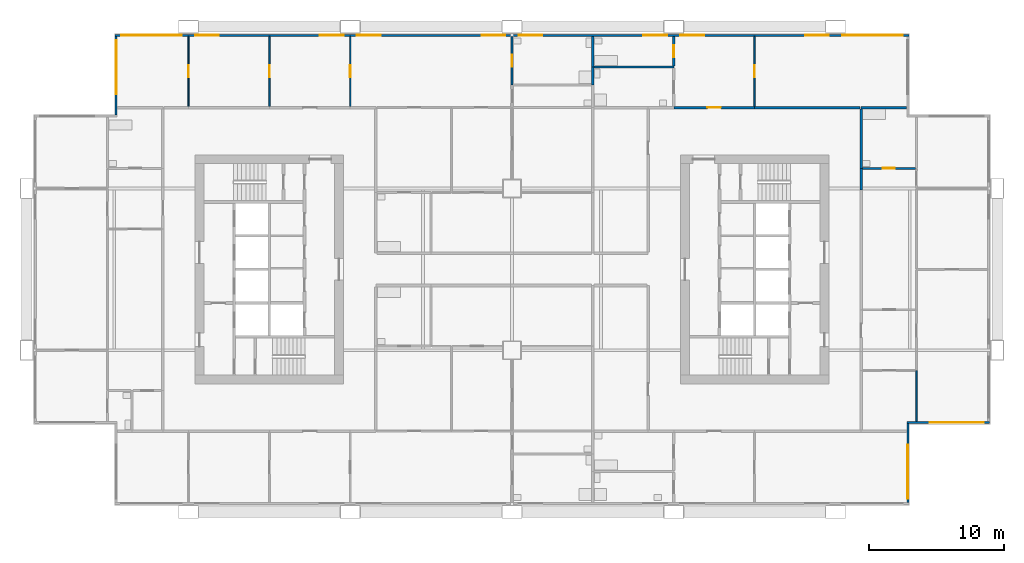
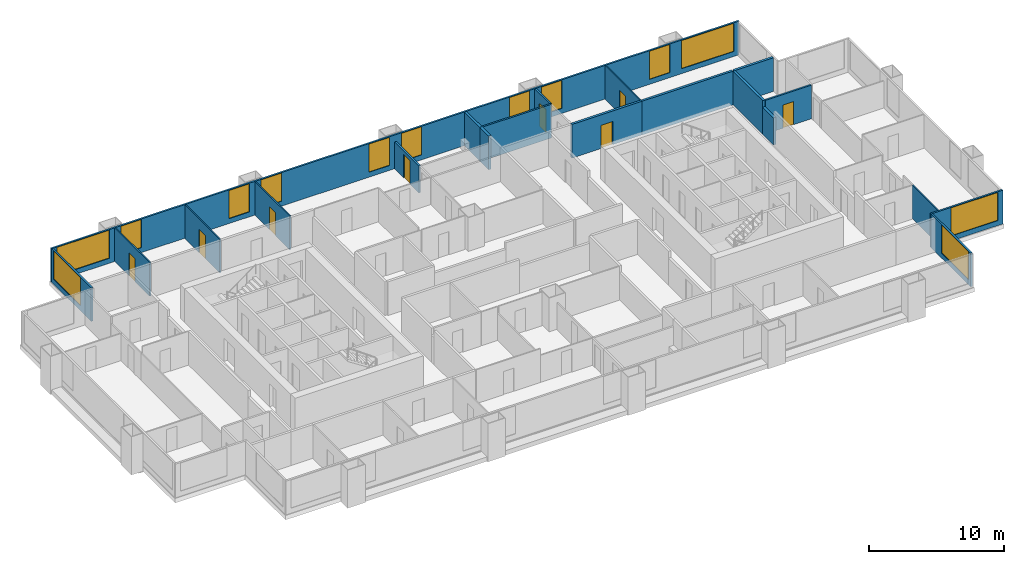
# One storey, part 7 of 10: 20 walls, 13 windows, 8 doors, 21 openings.
"""IFC4 building model written with IfcOpenShell, lengths in metres."""

from ifc_helpers import new_model, si_unit, direction, frame, frame_2d, origin, place, context, subcontext, project, spatial, rectangle, extrude, material, layer, layer_set, type_object, element, fill, save


model = new_model("IFC4")

# Units and contexts
model_context = context("Model", 3, precision=1e-05, world=origin(), true_north=direction((0.0, 1.0)))
body_context = subcontext(model_context, "Body", "Model", "MODEL_VIEW")
ifc_project = project(units=[si_unit("LENGTHUNIT", "METRE"), si_unit("AREAUNIT", "SQUARE_METRE"), si_unit("VOLUMEUNIT", "CUBIC_METRE"), si_unit("PLANEANGLEUNIT", "RADIAN"), si_unit("MASSUNIT", "GRAM", prefix="KILO")], contexts=[model_context])

# Site, building, storey
site_placement = place(None, origin())
site = spatial("IfcSite", under=ifc_project, at=site_placement, CompositionType="ELEMENT")
building_placement = place(site_placement, origin())
building = spatial("IfcBuilding", under=site, at=building_placement, Name="Kitamizu Gate Tower and Museum", CompositionType="ELEMENT")
storey_placement = place(building_placement, frame((0.0, 0.0, 117.300048828125)))
storey = spatial("IfcBuildingStorey", under=building, at=storey_placement, Name="L30", CompositionType="ELEMENT", Elevation=117.300048828125)

# Wall, opening, door
ifc_material_1 = material(Name="Gypsum board on galvanised stud")
ifc_layer_1 = layer(ifc_material_1, 0.10009765625)
ifc_layer_set_1 = layer_set([ifc_layer_1], Name="Gypsum board on galvanised stud")
wall_type_1 = type_object("IfcWallType", Name="Partition 100 NOT RATED", PredefinedType="PARTITIONING", material=ifc_layer_set_1)
wall_1_placement = place(storey_placement, frame((12.0, 42.10009765625, 0.0), z_axis=(0.0, 0.0, 1.0), x_axis=(0.0, 1.0, 0.0)))
wall_1 = element("IfcWall", 1, at=wall_1_placement, inside=storey, type_object=wall_type_1, Name="Partition L30-054", PredefinedType="PARTITIONING", context=body_context, shape_type="SweptSolid", body=[
    extrude(rectangle(XDim=5.179931640625, YDim=0.10009765625, at=frame_2d((2.58984375, 0.0))), origin(), (0.0, 0.0, 1.0), 3.050048828125),
])
opening_1_placement = place(wall_1_placement, frame((2.139892578125, 0.0, 0.0)))
opening_1 = element("IfcOpeningElement", 2, at=opening_1_placement, cuts=wall_1, Name="Opening L30-030", PredefinedType="OPENING", context=body_context, shape_type="SweptSolid", body=[
    extrude(rectangle(XDim=0.89990234375, YDim=2.10009765625, at=frame_2d((0.449951171875, 1.050048828125))), frame((0.0, 0.06005859375, 0.0), z_axis=(0.0, -1.0, 0.0), x_axis=(1.0, 0.0, 0.0)), (0.0, 0.0, 1.0), 0.1201171875),
])
ifc_material_2 = material(Name="Timber door set", Category="wood")
door_type_1 = type_object("IfcDoorType", Name="Room door 900", OperationType="NOTDEFINED", PredefinedType="DOOR", material=ifc_material_2)
door_1_placement = place(opening_1_placement, origin())
door_1 = element("IfcDoor", 3, at=door_1_placement, inside=storey, type_object=door_type_1, Name="Door L30-030", OperationType="SINGLE_SWING_LEFT", OverallHeight=2.10009765625, OverallWidth=0.89990234375, PredefinedType="DOOR", context=body_context, shape_type="SweptSolid", body=[
    extrude(rectangle(XDim=0.89990234375, YDim=2.10009765625, at=frame_2d((0.449951171875, 1.050048828125))), frame((0.0, 0.02490234375, 0.0), z_axis=(0.0, -1.0, 0.0), x_axis=(1.0, 0.0, 0.0)), (0.0, 0.0, 1.0), 0.050048828125),
])
fill(opening_1, door_1)

wall_2_placement = place(storey_placement, frame((18.0, 42.10009765625, 0.0), z_axis=(0.0, 0.0, 1.0), x_axis=(0.0, 1.0, 0.0)))
wall_2 = element("IfcWall", 4, at=wall_2_placement, inside=storey, type_object=wall_type_1, Name="Partition L30-056", PredefinedType="PARTITIONING", context=body_context, shape_type="SweptSolid", body=[
    extrude(rectangle(XDim=5.179931640625, YDim=0.10009765625, at=frame_2d((2.58984375, 0.0))), origin(), (0.0, 0.0, 1.0), 3.050048828125),
])
opening_2_placement = place(wall_2_placement, frame((2.139892578125, 0.0, 0.0)))
opening_2 = element("IfcOpeningElement", 5, at=opening_2_placement, cuts=wall_2, Name="Opening L30-025", PredefinedType="OPENING", context=body_context, shape_type="SweptSolid", body=[
    extrude(rectangle(XDim=0.89990234375, YDim=2.10009765625, at=frame_2d((0.449951171875, 1.050048828125))), frame((0.0, 0.06005859375, 0.0), z_axis=(0.0, -1.0, 0.0), x_axis=(1.0, 0.0, 0.0)), (0.0, 0.0, 1.0), 0.1201171875),
])
door_2_placement = place(opening_2_placement, origin())
door_2 = element("IfcDoor", 6, at=door_2_placement, inside=storey, type_object=door_type_1, Name="Door L30-025", OperationType="SINGLE_SWING_RIGHT", OverallHeight=2.10009765625, OverallWidth=0.89990234375, PredefinedType="DOOR", context=body_context, shape_type="SweptSolid", body=[
    extrude(rectangle(XDim=0.89990234375, YDim=2.10009765625, at=frame_2d((0.449951171875, 1.050048828125))), frame((0.0, 0.02490234375, 0.0), z_axis=(0.0, -1.0, 0.0), x_axis=(1.0, 0.0, 0.0)), (0.0, 0.0, 1.0), 0.050048828125),
])
fill(opening_2, door_2)

wall_3_placement = place(storey_placement, frame((24.0, 42.10009765625, 0.0), z_axis=(0.0, 0.0, 1.0), x_axis=(0.0, 1.0, 0.0)))
wall_3 = element("IfcWall", 7, at=wall_3_placement, inside=storey, type_object=wall_type_1, Name="Partition L30-058", PredefinedType="PARTITIONING", context=body_context, shape_type="SweptSolid", body=[
    extrude(rectangle(XDim=5.179931640625, YDim=0.10009765625, at=frame_2d((2.58984375, 0.0))), origin(), (0.0, 0.0, 1.0), 3.050048828125),
])
opening_3_placement = place(wall_3_placement, frame((2.139892578125, 0.0, 0.0)))
opening_3 = element("IfcOpeningElement", 8, at=opening_3_placement, cuts=wall_3, Name="Opening L30-021", PredefinedType="OPENING", context=body_context, shape_type="SweptSolid", body=[
    extrude(rectangle(XDim=0.89990234375, YDim=2.10009765625, at=frame_2d((0.449951171875, 1.050048828125))), frame((0.0, 0.06005859375, 0.0), z_axis=(0.0, -1.0, 0.0), x_axis=(1.0, 0.0, 0.0)), (0.0, 0.0, 1.0), 0.1201171875),
])
door_3_placement = place(opening_3_placement, frame((0.89990234375, 0.0, 0.0), x_axis=(-1.0, 0.0, 0.0)))
door_3 = element("IfcDoor", 9, at=door_3_placement, inside=storey, type_object=door_type_1, Name="Door L30-021", OperationType="SINGLE_SWING_LEFT", OverallHeight=2.10009765625, OverallWidth=0.89990234375, PredefinedType="DOOR", context=body_context, shape_type="SweptSolid", body=[
    extrude(rectangle(XDim=0.89990234375, YDim=2.10009765625, at=frame_2d((0.449951171875, 1.050048828125))), frame((0.0, 0.02490234375, 0.0), z_axis=(0.0, -1.0, 0.0), x_axis=(1.0, 0.0, 0.0)), (0.0, 0.0, 1.0), 0.050048828125),
])
fill(opening_3, door_3)

# Wall
wall_4_placement = place(storey_placement, frame((66.0, 22.5, 0.0), z_axis=(0.0, 0.0, 1.0), x_axis=(0.0, -1.0, 0.0)))
element("IfcWall", 10, at=wall_4_placement, inside=storey, type_object=wall_type_1, Name="Partition L30-099", PredefinedType="PARTITIONING", context=body_context, shape_type="SweptSolid", body=[
    extrude(rectangle(XDim=3.780029296875, YDim=0.10009765625, at=frame_2d((1.89013671875, 0.0))), origin(), (0.0, 0.0, 1.0), 3.050048828125),
])

# Wall, opening, door
wall_5_placement = place(storey_placement, frame((54.0, 42.10009765625, 0.0), z_axis=(0.0, 0.0, 1.0), x_axis=(0.0, 1.0, 0.0)))
wall_5 = element("IfcWall", 11, at=wall_5_placement, inside=storey, type_object=wall_type_1, Name="Partition L30-122", PredefinedType="PARTITIONING", context=body_context, shape_type="SweptSolid", body=[
    extrude(rectangle(XDim=5.179931640625, YDim=0.10009765625, at=frame_2d((2.58984375, 0.0))), origin(), (0.0, 0.0, 1.0), 3.050048828125),
])
opening_4_placement = place(wall_5_placement, frame((2.139892578125, 0.0, 0.0)))
opening_4 = element("IfcOpeningElement", 12, at=opening_4_placement, cuts=wall_5, Name="Opening L30-043", PredefinedType="OPENING", context=body_context, shape_type="SweptSolid", body=[
    extrude(rectangle(XDim=0.89990234375, YDim=2.10009765625, at=frame_2d((0.449951171875, 1.050048828125))), frame((0.0, 0.06005859375, 0.0), z_axis=(0.0, -1.0, 0.0), x_axis=(1.0, 0.0, 0.0)), (0.0, 0.0, 1.0), 0.1201171875),
])
door_4_placement = place(opening_4_placement, frame((0.89990234375, 0.0, 0.0), x_axis=(-1.0, 0.0, 0.0)))
door_4 = element("IfcDoor", 13, at=door_4_placement, inside=storey, type_object=door_type_1, Name="Door L30-043", OperationType="SINGLE_SWING_LEFT", OverallHeight=2.10009765625, OverallWidth=0.89990234375, PredefinedType="DOOR", context=body_context, shape_type="SweptSolid", body=[
    extrude(rectangle(XDim=0.89990234375, YDim=2.10009765625, at=frame_2d((0.449951171875, 1.050048828125))), frame((0.0, 0.02490234375, 0.0), z_axis=(0.0, -1.0, 0.0), x_axis=(1.0, 0.0, 0.0)), (0.0, 0.0, 1.0), 0.050048828125),
])
fill(opening_4, door_4)

ifc_material_3 = material(Name="Gypsum board on galvanised stud")
ifc_layer_2 = layer(ifc_material_3, 0.14990234375)
ifc_layer_set_2 = layer_set([ifc_layer_2], Name="Gypsum board on galvanised stud")
wall_type_2 = type_object("IfcWallType", Name="Partition 150", PredefinedType="PARTITIONING", material=ifc_layer_set_2)
wall_6_placement = place(storey_placement, frame((36.0, 43.679931640625, 0.0), z_axis=(0.0, 0.0, 1.0), x_axis=(0.0, 1.0, 0.0)))
wall_6 = element("IfcWall", 14, at=wall_6_placement, inside=storey, type_object=wall_type_2, Name="Partition L30-060", PredefinedType="PARTITIONING", context=body_context, shape_type="SweptSolid", body=[
    extrude(rectangle(XDim=3.60009765625, YDim=0.14990234375, at=frame_2d((1.800048828125, 0.0))), origin(), (0.0, 0.0, 1.0), 2.449951171875),
])
opening_5_placement = place(wall_6_placement, frame((1.35009765625, 0.0, 0.0)))
opening_5 = element("IfcOpeningElement", 15, at=opening_5_placement, cuts=wall_6, Name="Opening L30-024", PredefinedType="OPENING", context=body_context, shape_type="SweptSolid", body=[
    extrude(rectangle(XDim=0.89990234375, YDim=2.10009765625, at=frame_2d((0.449951171875, 1.050048828125))), frame((0.0, 0.0849609375, 0.0), z_axis=(0.0, -1.0, 0.0), x_axis=(1.0, 0.0, 0.0)), (0.0, 0.0, 1.0), 0.169921875),
])
ifc_material_4 = material(Name="Timber door set", Category="wood")
door_type_2 = type_object("IfcDoorType", Name="Bathroom door 900", OperationType="NOTDEFINED", PredefinedType="DOOR", material=ifc_material_4)
door_5_placement = place(opening_5_placement, frame((0.89990234375, 0.0, 0.0), x_axis=(-1.0, 0.0, 0.0)))
door_5 = element("IfcDoor", 16, at=door_5_placement, inside=storey, type_object=door_type_2, Name="Bathroom door L30-024", OperationType="SINGLE_SWING_RIGHT", OverallHeight=2.10009765625, OverallWidth=0.89990234375, PredefinedType="DOOR", context=body_context, shape_type="SweptSolid", body=[
    extrude(rectangle(XDim=0.89990234375, YDim=2.10009765625, at=frame_2d((0.449951171875, 1.050048828125))), frame((0.0, 0.02490234375, 0.0), z_axis=(0.0, -1.0, 0.0), x_axis=(1.0, 0.0, 0.0)), (0.0, 0.0, 1.0), 0.050048828125),
])
fill(opening_5, door_5)

wall_7_placement = place(storey_placement, frame((65.925048828125, 37.5, 0.0), z_axis=(0.0, 0.0, 1.0), x_axis=(-1.0, 0.0, 0.0)))
wall_7 = element("IfcWall", 17, at=wall_7_placement, inside=storey, type_object=wall_type_2, Name="Partition L30-112", PredefinedType="PARTITIONING", context=body_context, shape_type="SweptSolid", body=[
    extrude(rectangle(XDim=3.925048828125, YDim=0.14990234375, at=frame_2d((1.96240234375, 0.0))), origin(), (0.0, 0.0, 1.0), 3.050048828125),
])
opening_6_placement = place(wall_7_placement, frame((1.512451171875, 0.0, 0.0)))
opening_6 = element("IfcOpeningElement", 18, at=opening_6_placement, cuts=wall_7, Name="Opening L30-041", PredefinedType="OPENING", context=body_context, shape_type="SweptSolid", body=[
    extrude(rectangle(XDim=0.89990234375, YDim=2.10009765625, at=frame_2d((0.449951171875, 1.050048828125))), frame((0.0, 0.0849609375, 0.0), z_axis=(0.0, -1.0, 0.0), x_axis=(1.0, 0.0, 0.0)), (0.0, 0.0, 1.0), 0.169921875),
])
door_6_placement = place(opening_6_placement, frame((0.89990234375, 0.0, 0.0), x_axis=(-1.0, 0.0, 0.0)))
door_6 = element("IfcDoor", 19, at=door_6_placement, inside=storey, type_object=door_type_2, Name="Bathroom door L30-041", OperationType="SINGLE_SWING_LEFT", OverallHeight=2.10009765625, OverallWidth=0.89990234375, PredefinedType="DOOR", context=body_context, shape_type="SweptSolid", body=[
    extrude(rectangle(XDim=0.89990234375, YDim=2.10009765625, at=frame_2d((0.449951171875, 1.050048828125))), frame((0.0, 0.02490234375, 0.0), z_axis=(0.0, -1.0, 0.0), x_axis=(1.0, 0.0, 0.0)), (0.0, 0.0, 1.0), 0.050048828125),
])
fill(opening_6, door_6)

# Wall
wall_8_placement = place(storey_placement, frame((48.0, 45.0, 0.0), z_axis=(0.0, 0.0, 1.0), x_axis=(-1.0, 0.0, 0.0)))
element("IfcWall", 20, at=wall_8_placement, inside=storey, type_object=wall_type_2, Name="Partition L30-117", PredefinedType="PARTITIONING", context=body_context, shape_type="SweptSolid", body=[
    extrude(rectangle(XDim=5.89990234375, YDim=0.14990234375, at=frame_2d((2.949951171875, 0.0))), origin(), (0.0, 0.0, 1.0), 3.050048828125),
])

# Wall, opening, door
wall_9_placement = place(storey_placement, frame((48.0, 45.074951171875, 0.0), z_axis=(0.0, 0.0, 1.0), x_axis=(0.0, 1.0, 0.0)))
wall_9 = element("IfcWall", 21, at=wall_9_placement, inside=storey, type_object=wall_type_2, Name="Partition L30-121", PredefinedType="PARTITIONING", context=body_context, shape_type="SweptSolid", body=[
    extrude(rectangle(XDim=2.205078125, YDim=0.14990234375, at=frame_2d((1.1025390625, 0.0))), origin(), (0.0, 0.0, 1.0), 3.050048828125),
])
opening_7_placement = place(wall_9_placement, frame((0.652587890625, 0.0, 0.0)))
opening_7 = element("IfcOpeningElement", 22, at=opening_7_placement, cuts=wall_9, Name="Opening L30-045", PredefinedType="OPENING", context=body_context, shape_type="SweptSolid", body=[
    extrude(rectangle(XDim=0.89990234375, YDim=2.10009765625, at=frame_2d((0.449951171875, 1.050048828125))), frame((0.0, 0.0849609375, 0.0), z_axis=(0.0, -1.0, 0.0), x_axis=(1.0, 0.0, 0.0)), (0.0, 0.0, 1.0), 0.169921875),
])
door_7_placement = place(opening_7_placement, origin())
door_7 = element("IfcDoor", 23, at=door_7_placement, inside=storey, type_object=door_type_2, Name="Bathroom door L30-045", OperationType="SINGLE_SWING_RIGHT", OverallHeight=2.10009765625, OverallWidth=0.89990234375, PredefinedType="DOOR", context=body_context, shape_type="SweptSolid", body=[
    extrude(rectangle(XDim=0.89990234375, YDim=2.10009765625, at=frame_2d((0.449951171875, 1.050048828125))), frame((0.0, 0.02490234375, 0.0), z_axis=(0.0, -1.0, 0.0), x_axis=(1.0, 0.0, 0.0)), (0.0, 0.0, 1.0), 0.050048828125),
])
fill(opening_7, door_7)

# Walls
ifc_material_5 = material(Name="Gypsum board on galvanised stud")
ifc_layer_3 = layer(ifc_material_5, 0.199951171875)
ifc_layer_set_3 = layer_set([ifc_layer_3], Name="Gypsum board on galvanised stud")
wall_type_3 = type_object("IfcWallType", Name="Partition 200", PredefinedType="PARTITIONING", material=ifc_layer_set_3)
wall_10_placement = place(storey_placement, frame((42.0, 43.679931640625, 0.0), z_axis=(0.0, 0.0, 1.0), x_axis=(0.0, 1.0, 0.0)))
element("IfcWall", 24, at=wall_10_placement, inside=storey, type_object=wall_type_3, Name="Partition L30-066", PredefinedType="PARTITIONING", context=body_context, shape_type="SweptSolid", body=[
    extrude(rectangle(XDim=1.320068359375, YDim=0.199951171875, at=frame_2d((0.66015625, 0.0))), origin(), (0.0, 0.0, 1.0), 3.050048828125),
])
wall_11_placement = place(storey_placement, frame((42.0, 45.0, 0.0), z_axis=(0.0, 0.0, 1.0), x_axis=(0.0, 1.0, 0.0)))
element("IfcWall", 25, at=wall_11_placement, inside=storey, type_object=wall_type_3, Name="Partition L30-067", PredefinedType="PARTITIONING", context=body_context, shape_type="SweptSolid", body=[
    extrude(rectangle(XDim=2.280029296875, YDim=0.199951171875, at=frame_2d((1.14013671875, 0.0))), origin(), (0.0, 0.0, 1.0), 3.050048828125),
])
wall_12_placement = place(storey_placement, frame((61.89990234375, 37.5, 0.0), z_axis=(0.0, 0.0, 1.0), x_axis=(0.0, -1.0, 0.0)))
element("IfcWall", 26, at=wall_12_placement, inside=storey, type_object=wall_type_3, Name="Partition L30-113", PredefinedType="PARTITIONING", context=body_context, shape_type="SweptSolid", body=[
    extrude(rectangle(XDim=1.60009765625, YDim=0.199951171875, at=frame_2d((0.800048828125, 0.0))), origin(), (0.0, 0.0, 1.0), 2.449951171875),
])
wall_13_placement = place(storey_placement, frame((65.280029296875, 42.0, 0.0), z_axis=(0.0, 0.0, 1.0), x_axis=(-1.0, 0.0, 0.0)))
element("IfcWall", 27, at=wall_13_placement, inside=storey, type_object=wall_type_3, Name="Partition L30-115", PredefinedType="PARTITIONING", context=body_context, shape_type="SweptSolid", body=[
    extrude(rectangle(XDim=3.380126953125, YDim=0.199951171875, at=frame_2d((1.68994140625, 0.0))), origin(), (0.0, 0.0, 1.0), 3.050048828125),
])
wall_14_placement = place(storey_placement, frame((61.89990234375, 41.89990234375, 0.0), z_axis=(0.0, 0.0, 1.0), x_axis=(0.0, -1.0, 0.0)))
element("IfcWall", 28, at=wall_14_placement, inside=storey, type_object=wall_type_3, Name="Partition L30-116", PredefinedType="PARTITIONING", context=body_context, shape_type="SweptSolid", body=[
    extrude(rectangle(XDim=4.39990234375, YDim=0.199951171875, at=frame_2d((2.199951171875, 0.0))), origin(), (0.0, 0.0, 1.0), 3.050048828125),
])

# Wall, opening, door
wall_15_placement = place(storey_placement, frame((48.0, 42.0, 0.0), z_axis=(0.0, 0.0, 1.0), x_axis=(1.0, 0.0, 0.0)))
wall_15 = element("IfcWall", 29, at=wall_15_placement, inside=storey, type_object=wall_type_3, Name="Partition L30-123", PredefinedType="PARTITIONING", context=body_context, shape_type="SweptSolid", body=[
    extrude(rectangle(XDim=6.0, YDim=0.199951171875, at=frame_2d((3.0, 0.0))), origin(), (0.0, 0.0, 1.0), 3.050048828125),
])
opening_8_placement = place(wall_15_placement, frame((2.5, 0.0, 0.0)))
opening_8 = element("IfcOpeningElement", 30, at=opening_8_placement, cuts=wall_15, Name="Opening L30-042", PredefinedType="OPENING", context=body_context, shape_type="SweptSolid", body=[
    extrude(rectangle(XDim=1.0, YDim=2.10009765625, at=frame_2d((0.5, 1.050048828125))), frame((0.0, 0.10986328125, 0.0), z_axis=(0.0, -1.0, 0.0), x_axis=(1.0, 0.0, 0.0)), (0.0, 0.0, 1.0), 0.219970703125),
])
ifc_material_6 = material(Name="Timber door set", Category="wood")
door_type_3 = type_object("IfcDoorType", Name="Flat entrance door 1000", OperationType="NOTDEFINED", PredefinedType="DOOR", material=ifc_material_6)
door_8_placement = place(opening_8_placement, origin())
door_8 = element("IfcDoor", 31, at=door_8_placement, inside=storey, type_object=door_type_3, Name="Flat entrance door L30-042", OperationType="SINGLE_SWING_LEFT", OverallHeight=2.10009765625, OverallWidth=1.0, PredefinedType="DOOR", context=body_context, shape_type="SweptSolid", body=[
    extrude(rectangle(XDim=1.0, YDim=2.10009765625, at=frame_2d((0.5, 1.050048828125))), frame((0.0, 0.02490234375, 0.0), z_axis=(0.0, -1.0, 0.0), x_axis=(1.0, 0.0, 0.0)), (0.0, 0.0, 1.0), 0.050048828125),
])
fill(opening_8, door_8)

# Wall
wall_16_placement = place(storey_placement, frame((54.0, 42.0, 0.0), z_axis=(0.0, 0.0, 1.0), x_axis=(1.0, 0.0, 0.0)))
element("IfcWall", 32, at=wall_16_placement, inside=storey, type_object=wall_type_3, Name="Partition L30-124", PredefinedType="PARTITIONING", context=body_context, shape_type="SweptSolid", body=[
    extrude(rectangle(XDim=7.800048828125, YDim=0.199951171875, at=frame_2d((3.89990234375, 0.0))), origin(), (0.0, 0.0, 1.0), 3.050048828125),
])

# Wall, opening, window
ifc_material_7 = material(Name="Bronze anodised aluminium frame with insulated spandrel and tinted glass", Category="aluminium")
ifc_layer_4 = layer(ifc_material_7, 0.14990234375)
ifc_layer_set_4 = layer_set([ifc_layer_4], Name="Bronze anodised aluminium frame with insulated spandrel and tinted glass")
wall_type_4 = type_object("IfcWallType", Name="WINDOW WALL 150 BRONZE FRAME EI 30", PredefinedType="ELEMENTEDWALL", material=ifc_layer_set_4)
wall_17_placement = place(storey_placement, frame((65.364990234375, 12.7099609375, 0.0), z_axis=(0.0, 0.0, 1.0), x_axis=(0.0, 1.0, 0.0)))
wall_17 = element("IfcWall", 33, at=wall_17_placement, inside=storey, type_object=wall_type_4, Name="Window wall east L30", PredefinedType="ELEMENTEDWALL", context=body_context, shape_type="SweptSolid", body=[
    extrude(rectangle(XDim=5.85009765625, YDim=0.14990234375, at=frame_2d((2.925048828125, 0.0))), origin(), (0.0, 0.0, 1.0), 3.050048828125),
])
opening_9_placement = place(wall_17_placement, frame((0.2900390625, 0.0, 0.449951171875)))
opening_9 = element("IfcOpeningElement", 34, at=opening_9_placement, cuts=wall_17, Name="Opening W16", PredefinedType="OPENING", context=body_context, shape_type="SweptSolid", body=[
    extrude(rectangle(XDim=4.0, YDim=2.550048828125, at=frame_2d((2.0, 1.27490234375))), frame((0.0, 0.0849609375, 0.0), z_axis=(0.0, -1.0, 0.0), x_axis=(1.0, 0.0, 0.0)), (0.0, 0.0, 1.0), 0.169921875),
])
ifc_material_8 = material(Name="Bronze anodised aluminium frame, tinted triple glazing", Category="aluminium")
window_type_1 = type_object("IfcWindowType", Name="WINDOW 4000 x 2550 SILL 450", PartitioningType="SINGLE_PANEL", PredefinedType="WINDOW", material=ifc_material_8)
window_1_placement = place(opening_9_placement, origin())
window_1 = element("IfcWindow", 35, at=window_1_placement, inside=storey, type_object=window_type_1, Name="Window W16 L30", OverallHeight=2.550048828125, OverallWidth=4.0, PartitioningType="SINGLE_PANEL", PredefinedType="WINDOW", context=body_context, shape_type="SweptSolid", body=[
    extrude(rectangle(XDim=4.0, YDim=2.550048828125, at=frame_2d((2.0, 1.27490234375))), frame((0.0, 0.030029296875, 0.0), z_axis=(0.0, -1.0, 0.0), x_axis=(1.0, 0.0, 0.0)), (0.0, 0.0, 1.0), 0.06005859375),
])
fill(opening_9, window_1)

wall_18_placement = place(storey_placement, frame((65.2900390625, 18.635009765625, 0.0), z_axis=(0.0, 0.0, 1.0), x_axis=(1.0, 0.0, 0.0)))
wall_18 = element("IfcWall", 36, at=wall_18_placement, inside=storey, type_object=wall_type_4, Name="Window wall south L30", PredefinedType="ELEMENTEDWALL", context=body_context, shape_type="SweptSolid", body=[
    extrude(rectangle(XDim=6.14990234375, YDim=0.14990234375, at=frame_2d((3.074951171875, 0.0))), origin(), (0.0, 0.0, 1.0), 3.050048828125),
])
opening_10_placement = place(wall_18_placement, frame((1.7099609375, 0.0, 0.449951171875)))
opening_10 = element("IfcOpeningElement", 37, at=opening_10_placement, cuts=wall_18, Name="Opening W16", PredefinedType="OPENING", context=body_context, shape_type="SweptSolid", body=[
    extrude(rectangle(XDim=4.0, YDim=2.550048828125, at=frame_2d((2.0, 1.27490234375))), frame((0.0, 0.0849609375, 0.0), z_axis=(0.0, -1.0, 0.0), x_axis=(1.0, 0.0, 0.0)), (0.0, 0.0, 1.0), 0.169921875),
])
window_2_placement = place(opening_10_placement, origin())
window_2 = element("IfcWindow", 38, at=window_2_placement, inside=storey, type_object=window_type_1, Name="Window W16 L30", OverallHeight=2.550048828125, OverallWidth=4.0, PartitioningType="SINGLE_PANEL", PredefinedType="WINDOW", context=body_context, shape_type="SweptSolid", body=[
    extrude(rectangle(XDim=4.0, YDim=2.550048828125, at=frame_2d((2.0, 1.27490234375))), frame((0.0, 0.030029296875, 0.0), z_axis=(0.0, -1.0, 0.0), x_axis=(1.0, 0.0, 0.0)), (0.0, 0.0, 1.0), 0.06005859375),
])
fill(opening_10, window_2)

# Wall, openings, windows
wall_19_placement = place(storey_placement, frame((6.56005859375, 47.364990234375, 0.0), z_axis=(0.0, 0.0, 1.0), x_axis=(1.0, 0.0, 0.0)))
wall_19 = element("IfcWall", 39, at=wall_19_placement, inside=storey, type_object=wall_type_4, Name="Window wall north L30", PredefinedType="ELEMENTEDWALL", context=body_context, shape_type="SweptSolid", body=[
    extrude(rectangle(XDim=58.8798828125, YDim=0.14990234375, at=frame_2d((29.43994140625, 0.0))), origin(), (0.0, 0.0, 1.0), 3.050048828125),
])
opening_11_placement = place(wall_19_placement, frame((0.43994140625, 0.0, 0.449951171875)))
opening_11 = element("IfcOpeningElement", 40, at=opening_11_placement, cuts=wall_19, Name="Opening W15", PredefinedType="OPENING", context=body_context, shape_type="SweptSolid", body=[
    extrude(rectangle(XDim=4.5, YDim=2.550048828125, at=frame_2d((2.25, 1.27490234375))), frame((0.0, 0.0849609375, 0.0), z_axis=(0.0, -1.0, 0.0), x_axis=(1.0, 0.0, 0.0)), (0.0, 0.0, 1.0), 0.169921875),
])
opening_12_placement = place(wall_19_placement, frame((5.93994140625, 0.0, 0.449951171875)))
opening_12 = element("IfcOpeningElement", 41, at=opening_12_placement, cuts=wall_19, Name="Opening W29", PredefinedType="OPENING", context=body_context, shape_type="SweptSolid", body=[
    extrude(rectangle(XDim=1.75, YDim=2.550048828125, at=frame_2d((0.875, 1.27490234375))), frame((0.0, 0.0849609375, 0.0), z_axis=(0.0, -1.0, 0.0), x_axis=(1.0, 0.0, 0.0)), (0.0, 0.0, 1.0), 0.169921875),
])
opening_13_placement = place(wall_19_placement, frame((15.18994140625, 0.0, 0.449951171875)))
opening_13 = element("IfcOpeningElement", 42, at=opening_13_placement, cuts=wall_19, Name="Opening W29", PredefinedType="OPENING", context=body_context, shape_type="SweptSolid", body=[
    extrude(rectangle(XDim=1.75, YDim=2.550048828125, at=frame_2d((0.875, 1.27490234375))), frame((0.0, 0.0849609375, 0.0), z_axis=(0.0, -1.0, 0.0), x_axis=(1.0, 0.0, 0.0)), (0.0, 0.0, 1.0), 0.169921875),
])
opening_14_placement = place(wall_19_placement, frame((17.93994140625, 0.0, 0.449951171875)))
opening_14 = element("IfcOpeningElement", 43, at=opening_14_placement, cuts=wall_19, Name="Opening W29", PredefinedType="OPENING", context=body_context, shape_type="SweptSolid", body=[
    extrude(rectangle(XDim=1.75, YDim=2.550048828125, at=frame_2d((0.875, 1.27490234375))), frame((0.0, 0.0849609375, 0.0), z_axis=(0.0, -1.0, 0.0), x_axis=(1.0, 0.0, 0.0)), (0.0, 0.0, 1.0), 0.169921875),
])
opening_15_placement = place(wall_19_placement, frame((27.18994140625, 0.0, 0.449951171875)))
opening_15 = element("IfcOpeningElement", 44, at=opening_15_placement, cuts=wall_19, Name="Opening W29", PredefinedType="OPENING", context=body_context, shape_type="SweptSolid", body=[
    extrude(rectangle(XDim=1.75, YDim=2.550048828125, at=frame_2d((0.875, 1.27490234375))), frame((0.0, 0.0849609375, 0.0), z_axis=(0.0, -1.0, 0.0), x_axis=(1.0, 0.0, 0.0)), (0.0, 0.0, 1.0), 0.169921875),
])
opening_16_placement = place(wall_19_placement, frame((29.93994140625, 0.0, 0.449951171875)))
opening_16 = element("IfcOpeningElement", 45, at=opening_16_placement, cuts=wall_19, Name="Opening W29", PredefinedType="OPENING", context=body_context, shape_type="SweptSolid", body=[
    extrude(rectangle(XDim=1.75, YDim=2.550048828125, at=frame_2d((0.875, 1.27490234375))), frame((0.0, 0.0849609375, 0.0), z_axis=(0.0, -1.0, 0.0), x_axis=(1.0, 0.0, 0.0)), (0.0, 0.0, 1.0), 0.169921875),
])
opening_17_placement = place(wall_19_placement, frame((39.18994140625, 0.0, 0.449951171875)))
opening_17 = element("IfcOpeningElement", 46, at=opening_17_placement, cuts=wall_19, Name="Opening W29", PredefinedType="OPENING", context=body_context, shape_type="SweptSolid", body=[
    extrude(rectangle(XDim=1.75, YDim=2.550048828125, at=frame_2d((0.875, 1.27490234375))), frame((0.0, 0.0849609375, 0.0), z_axis=(0.0, -1.0, 0.0), x_axis=(1.0, 0.0, 0.0)), (0.0, 0.0, 1.0), 0.169921875),
])
opening_18_placement = place(wall_19_placement, frame((41.93994140625, 0.0, 0.449951171875)))
opening_18 = element("IfcOpeningElement", 47, at=opening_18_placement, cuts=wall_19, Name="Opening W29", PredefinedType="OPENING", context=body_context, shape_type="SweptSolid", body=[
    extrude(rectangle(XDim=1.75, YDim=2.550048828125, at=frame_2d((0.875, 1.27490234375))), frame((0.0, 0.0849609375, 0.0), z_axis=(0.0, -1.0, 0.0), x_axis=(1.0, 0.0, 0.0)), (0.0, 0.0, 1.0), 0.169921875),
])
opening_19_placement = place(wall_19_placement, frame((51.18994140625, 0.0, 0.449951171875)))
opening_19 = element("IfcOpeningElement", 48, at=opening_19_placement, cuts=wall_19, Name="Opening W29", PredefinedType="OPENING", context=body_context, shape_type="SweptSolid", body=[
    extrude(rectangle(XDim=1.75, YDim=2.550048828125, at=frame_2d((0.875, 1.27490234375))), frame((0.0, 0.0849609375, 0.0), z_axis=(0.0, -1.0, 0.0), x_axis=(1.0, 0.0, 0.0)), (0.0, 0.0, 1.0), 0.169921875),
])
opening_20_placement = place(wall_19_placement, frame((53.93994140625, 0.0, 0.449951171875)))
opening_20 = element("IfcOpeningElement", 49, at=opening_20_placement, cuts=wall_19, Name="Opening W15", PredefinedType="OPENING", context=body_context, shape_type="SweptSolid", body=[
    extrude(rectangle(XDim=4.5, YDim=2.550048828125, at=frame_2d((2.25, 1.27490234375))), frame((0.0, 0.0849609375, 0.0), z_axis=(0.0, -1.0, 0.0), x_axis=(1.0, 0.0, 0.0)), (0.0, 0.0, 1.0), 0.169921875),
])
ifc_material_9 = material(Name="Bronze anodised aluminium frame, tinted triple glazing", Category="aluminium")
window_type_2 = type_object("IfcWindowType", Name="WINDOW 1750 x 2550 SILL 450", PartitioningType="SINGLE_PANEL", PredefinedType="WINDOW", material=ifc_material_9)
window_3_placement = place(opening_12_placement, origin())
window_3 = element("IfcWindow", 50, at=window_3_placement, inside=storey, type_object=window_type_2, Name="Window W29 L30", OverallHeight=2.550048828125, OverallWidth=1.75, PartitioningType="SINGLE_PANEL", PredefinedType="WINDOW", context=body_context, shape_type="SweptSolid", body=[
    extrude(rectangle(XDim=1.75, YDim=2.550048828125, at=frame_2d((0.875, 1.27490234375))), frame((0.0, 0.030029296875, 0.0), z_axis=(0.0, -1.0, 0.0), x_axis=(1.0, 0.0, 0.0)), (0.0, 0.0, 1.0), 0.06005859375),
])
fill(opening_12, window_3)
window_4_placement = place(opening_13_placement, origin())
window_4 = element("IfcWindow", 51, at=window_4_placement, inside=storey, type_object=window_type_2, Name="Window W29 L30", OverallHeight=2.550048828125, OverallWidth=1.75, PartitioningType="SINGLE_PANEL", PredefinedType="WINDOW", context=body_context, shape_type="SweptSolid", body=[
    extrude(rectangle(XDim=1.75, YDim=2.550048828125, at=frame_2d((0.875, 1.27490234375))), frame((0.0, 0.030029296875, 0.0), z_axis=(0.0, -1.0, 0.0), x_axis=(1.0, 0.0, 0.0)), (0.0, 0.0, 1.0), 0.06005859375),
])
fill(opening_13, window_4)
window_5_placement = place(opening_14_placement, origin())
window_5 = element("IfcWindow", 52, at=window_5_placement, inside=storey, type_object=window_type_2, Name="Window W29 L30", OverallHeight=2.550048828125, OverallWidth=1.75, PartitioningType="SINGLE_PANEL", PredefinedType="WINDOW", context=body_context, shape_type="SweptSolid", body=[
    extrude(rectangle(XDim=1.75, YDim=2.550048828125, at=frame_2d((0.875, 1.27490234375))), frame((0.0, 0.030029296875, 0.0), z_axis=(0.0, -1.0, 0.0), x_axis=(1.0, 0.0, 0.0)), (0.0, 0.0, 1.0), 0.06005859375),
])
fill(opening_14, window_5)
window_6_placement = place(opening_15_placement, origin())
window_6 = element("IfcWindow", 53, at=window_6_placement, inside=storey, type_object=window_type_2, Name="Window W29 L30", OverallHeight=2.550048828125, OverallWidth=1.75, PartitioningType="SINGLE_PANEL", PredefinedType="WINDOW", context=body_context, shape_type="SweptSolid", body=[
    extrude(rectangle(XDim=1.75, YDim=2.550048828125, at=frame_2d((0.875, 1.27490234375))), frame((0.0, 0.030029296875, 0.0), z_axis=(0.0, -1.0, 0.0), x_axis=(1.0, 0.0, 0.0)), (0.0, 0.0, 1.0), 0.06005859375),
])
fill(opening_15, window_6)
window_7_placement = place(opening_16_placement, origin())
window_7 = element("IfcWindow", 54, at=window_7_placement, inside=storey, type_object=window_type_2, Name="Window W29 L30", OverallHeight=2.550048828125, OverallWidth=1.75, PartitioningType="SINGLE_PANEL", PredefinedType="WINDOW", context=body_context, shape_type="SweptSolid", body=[
    extrude(rectangle(XDim=1.75, YDim=2.550048828125, at=frame_2d((0.875, 1.27490234375))), frame((0.0, 0.030029296875, 0.0), z_axis=(0.0, -1.0, 0.0), x_axis=(1.0, 0.0, 0.0)), (0.0, 0.0, 1.0), 0.06005859375),
])
fill(opening_16, window_7)
window_8_placement = place(opening_17_placement, origin())
window_8 = element("IfcWindow", 55, at=window_8_placement, inside=storey, type_object=window_type_2, Name="Window W29 L30", OverallHeight=2.550048828125, OverallWidth=1.75, PartitioningType="SINGLE_PANEL", PredefinedType="WINDOW", context=body_context, shape_type="SweptSolid", body=[
    extrude(rectangle(XDim=1.75, YDim=2.550048828125, at=frame_2d((0.875, 1.27490234375))), frame((0.0, 0.030029296875, 0.0), z_axis=(0.0, -1.0, 0.0), x_axis=(1.0, 0.0, 0.0)), (0.0, 0.0, 1.0), 0.06005859375),
])
fill(opening_17, window_8)
window_9_placement = place(opening_18_placement, origin())
window_9 = element("IfcWindow", 56, at=window_9_placement, inside=storey, type_object=window_type_2, Name="Window W29 L30", OverallHeight=2.550048828125, OverallWidth=1.75, PartitioningType="SINGLE_PANEL", PredefinedType="WINDOW", context=body_context, shape_type="SweptSolid", body=[
    extrude(rectangle(XDim=1.75, YDim=2.550048828125, at=frame_2d((0.875, 1.27490234375))), frame((0.0, 0.030029296875, 0.0), z_axis=(0.0, -1.0, 0.0), x_axis=(1.0, 0.0, 0.0)), (0.0, 0.0, 1.0), 0.06005859375),
])
fill(opening_18, window_9)
window_10_placement = place(opening_19_placement, origin())
window_10 = element("IfcWindow", 57, at=window_10_placement, inside=storey, type_object=window_type_2, Name="Window W29 L30", OverallHeight=2.550048828125, OverallWidth=1.75, PartitioningType="SINGLE_PANEL", PredefinedType="WINDOW", context=body_context, shape_type="SweptSolid", body=[
    extrude(rectangle(XDim=1.75, YDim=2.550048828125, at=frame_2d((0.875, 1.27490234375))), frame((0.0, 0.030029296875, 0.0), z_axis=(0.0, -1.0, 0.0), x_axis=(1.0, 0.0, 0.0)), (0.0, 0.0, 1.0), 0.06005859375),
])
fill(opening_19, window_10)
ifc_material_10 = material(Name="Bronze anodised aluminium frame, tinted triple glazing", Category="aluminium")
window_type_3 = type_object("IfcWindowType", Name="WINDOW 4500 x 2550 SILL 450", PartitioningType="SINGLE_PANEL", PredefinedType="WINDOW", material=ifc_material_10)
window_11_placement = place(opening_11_placement, origin())
window_11 = element("IfcWindow", 58, at=window_11_placement, inside=storey, type_object=window_type_3, Name="Window W15 L30", OverallHeight=2.550048828125, OverallWidth=4.5, PartitioningType="SINGLE_PANEL", PredefinedType="WINDOW", context=body_context, shape_type="SweptSolid", body=[
    extrude(rectangle(XDim=4.5, YDim=2.550048828125, at=frame_2d((2.25, 1.27490234375))), frame((0.0, 0.030029296875, 0.0), z_axis=(0.0, -1.0, 0.0), x_axis=(1.0, 0.0, 0.0)), (0.0, 0.0, 1.0), 0.06005859375),
])
fill(opening_11, window_11)
window_12_placement = place(opening_20_placement, origin())
window_12 = element("IfcWindow", 59, at=window_12_placement, inside=storey, type_object=window_type_3, Name="Window W15 L30", OverallHeight=2.550048828125, OverallWidth=4.5, PartitioningType="SINGLE_PANEL", PredefinedType="WINDOW", context=body_context, shape_type="SweptSolid", body=[
    extrude(rectangle(XDim=4.5, YDim=2.550048828125, at=frame_2d((2.25, 1.27490234375))), frame((0.0, 0.030029296875, 0.0), z_axis=(0.0, -1.0, 0.0), x_axis=(1.0, 0.0, 0.0)), (0.0, 0.0, 1.0), 0.06005859375),
])
fill(opening_20, window_12)

# Wall, opening, window
wall_20_placement = place(storey_placement, frame((6.635009765625, 41.43994140625, 0.0), z_axis=(0.0, 0.0, 1.0), x_axis=(0.0, 1.0, 0.0)))
wall_20 = element("IfcWall", 60, at=wall_20_placement, inside=storey, type_object=wall_type_4, Name="Window wall west L30", PredefinedType="ELEMENTEDWALL", context=body_context, shape_type="SweptSolid", body=[
    extrude(rectangle(XDim=5.85009765625, YDim=0.14990234375, at=frame_2d((2.925048828125, 0.0))), origin(), (0.0, 0.0, 1.0), 3.050048828125),
])
opening_21_placement = place(wall_20_placement, frame((1.56005859375, 0.0, 0.449951171875)))
opening_21 = element("IfcOpeningElement", 61, at=opening_21_placement, cuts=wall_20, Name="Opening W16", PredefinedType="OPENING", context=body_context, shape_type="SweptSolid", body=[
    extrude(rectangle(XDim=4.0, YDim=2.550048828125, at=frame_2d((2.0, 1.27490234375))), frame((0.0, 0.0849609375, 0.0), z_axis=(0.0, -1.0, 0.0), x_axis=(1.0, 0.0, 0.0)), (0.0, 0.0, 1.0), 0.169921875),
])
window_13_placement = place(opening_21_placement, origin())
window_13 = element("IfcWindow", 62, at=window_13_placement, inside=storey, type_object=window_type_1, Name="Window W16 L30", OverallHeight=2.550048828125, OverallWidth=4.0, PartitioningType="SINGLE_PANEL", PredefinedType="WINDOW", context=body_context, shape_type="SweptSolid", body=[
    extrude(rectangle(XDim=4.0, YDim=2.550048828125, at=frame_2d((2.0, 1.27490234375))), frame((0.0, 0.030029296875, 0.0), z_axis=(0.0, -1.0, 0.0), x_axis=(1.0, 0.0, 0.0)), (0.0, 0.0, 1.0), 0.06005859375),
])
fill(opening_21, window_13)

save(model, "model.ifc")
